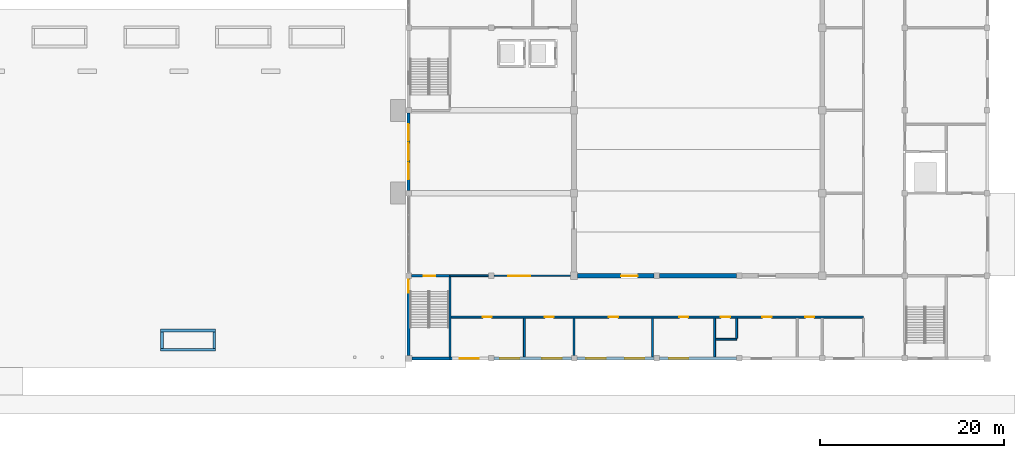
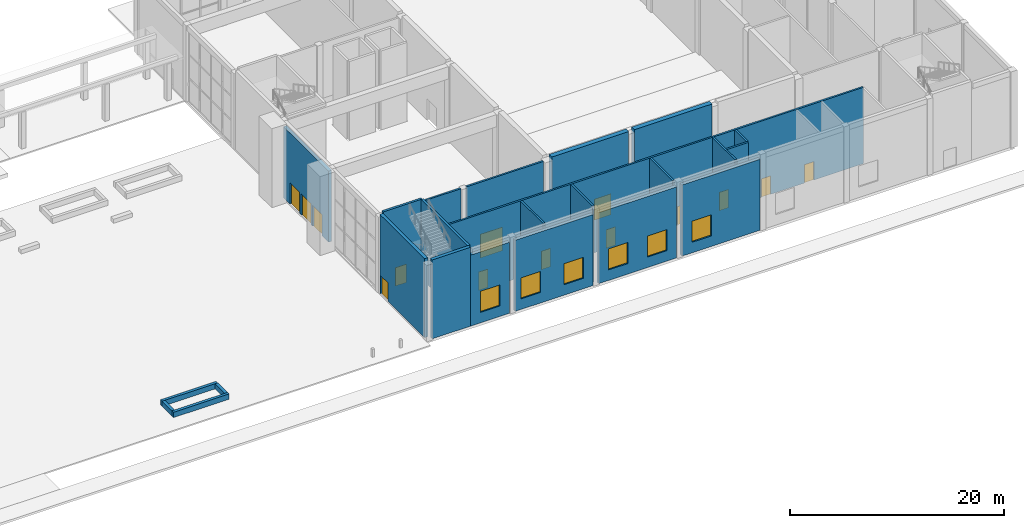
# One storey, part 29 of 44: 24 walls, 14 doors, 6 windows, 20 openings.
"""IFC4 building model written with IfcOpenShell, lengths in metres."""

import ifcopenshell
import ifcopenshell.guid

model = None  # the IFC model being written
_history = None  # IfcOwnerHistory: only IFC2X3 demands one
_inside = {}  # id of a spatial element -> (the spatial element, [elements in it])
_under = {}  # id of a project, library or spatial element -> (it, [spatial elements below it])
_declared = {}  # id of a project -> (the project, [libraries it declares])
_typed = {}  # id of a type object -> (the type object, [elements of that type])
_made_of = {}  # id of a material, layer set ... -> (it, [elements and type objects made of it])


def new_model(schema):
    """Start an empty IFC model of exactly this schema.

    Asked for "IFC4X3", IfcOpenShell would pick the latest addendum, in which some entities
    have other attributes; the version numbers below select the first issue.
    IFC2X3 requires an IfcOwnerHistory on every rooted entity: one is made here for all.
    """
    global model, _history
    if schema == "IFC4X3":
        model = ifcopenshell.file(schema_version=(4, 3, 0, 0))
    else:
        model = ifcopenshell.file(schema=schema)
    _inside.clear()
    _under.clear()
    _declared.clear()
    _typed.clear()
    _made_of.clear()
    _history = None
    if model.schema == "IFC2X3":
        org = make("IfcOrganization", Name="unknown")
        user = make(
            "IfcPersonAndOrganization",
            ThePerson=make("IfcPerson", FamilyName="unknown"),
            TheOrganization=org,
        )
        app = make(
            "IfcApplication",
            ApplicationDeveloper=org,
            Version="unknown",
            ApplicationFullName="unknown",
            ApplicationIdentifier="unknown",
        )
        _history = make(
            "IfcOwnerHistory",
            OwningUser=user,
            OwningApplication=app,
            ChangeAction="ADDED",
            CreationDate=0,
        )
    return model


def make(cls, **values):
    """One entity of the class cls with the attributes given. An attribute that is None is left unset."""
    return model.create_entity(
        cls, **{name: value for name, value in values.items() if value is not None}
    )


def rooted(cls, **values):
    """An entity with a GlobalId (a new one), such as an element, a storey or a relation."""
    return make(cls, GlobalId=ifcopenshell.guid.new(), OwnerHistory=_history, **values)


def si_unit(unit_type, name, prefix=None):
    """IfcSIUnit, for example si_unit("LENGTHUNIT", "METRE", prefix="MILLI")."""
    return make("IfcSIUnit", UnitType=unit_type, Prefix=prefix, Name=name)


def assignment(units):
    """IfcUnitAssignment: the units of a project."""
    return None if units is None else make("IfcUnitAssignment", Units=units)


def point(xyz):
    """IfcCartesianPoint."""
    return None if xyz is None else make("IfcCartesianPoint", Coordinates=xyz)


def direction(xyz):
    """IfcDirection."""
    return None if xyz is None else make("IfcDirection", DirectionRatios=xyz)


def frame(location, z_axis=None, x_axis=None):
    """IfcAxis2Placement3D, a coordinate frame: its origin and axes. An axis left out is left unset."""
    return make(
        "IfcAxis2Placement3D",
        Location=point(location),
        Axis=direction(z_axis),
        RefDirection=direction(x_axis),
    )


def frame_2d(location, x_axis=None):
    """IfcAxis2Placement2D, a coordinate frame in the plane: its origin and x axis."""
    return make(
        "IfcAxis2Placement2D", Location=point(location), RefDirection=direction(x_axis)
    )


def origin():
    """The frame at (0, 0, 0) with its axes left unset."""
    return frame((0.0, 0.0, 0.0))


def place(relative_to, where):
    """IfcLocalPlacement: puts the frame where relative to a parent placement (None: the world)."""
    return make(
        "IfcLocalPlacement", PlacementRelTo=relative_to, RelativePlacement=where
    )


def context(
    kind, dimensions, precision=None, world=None, true_north=None, identifier=None
):
    """IfcGeometricRepresentationContext, for example the 3D "Model" context."""
    return make(
        "IfcGeometricRepresentationContext",
        ContextIdentifier=identifier,
        ContextType=kind,
        CoordinateSpaceDimension=dimensions,
        Precision=precision,
        WorldCoordinateSystem=world,
        TrueNorth=true_north,
    )


def subcontext(parent, identifier, kind, view, scale=None):
    """IfcGeometricRepresentationSubContext, for example "Body" below "Model"."""
    return make(
        "IfcGeometricRepresentationSubContext",
        ContextIdentifier=identifier,
        ContextType=kind,
        ParentContext=parent,
        TargetScale=scale,
        TargetView=view,
    )


def project(units=None, contexts=None):
    """IfcProject with its units and contexts."""
    return rooted(
        "IfcProject",
        Name="project",
        RepresentationContexts=contexts,
        UnitsInContext=assignment(units),
    )


def spatial(cls, under=None, at=None, **own):
    """A site, building, storey or space (cls), placed at a placement, below another one or the project."""
    s = rooted(cls, ObjectPlacement=at, **own)
    if under is not None:
        _under.setdefault(under.id(), (under, []))[1].append(s)
    return s


def profile(cls, at=None, kind="AREA", **sizes):
    """A parametric profile (cls). Its sizes go by their IFC names, for example OverallWidth=200.0."""
    return make(cls, ProfileType=kind, Position=at, **sizes)


def rectangle(**sizes):
    """IfcRectangleProfileDef."""
    return profile("IfcRectangleProfileDef", **sizes)


def extrude(swept, where, along, depth):
    """IfcExtrudedAreaSolid: the profile swept, set in the frame where, extruded along a direction by depth."""
    return make(
        "IfcExtrudedAreaSolid",
        SweptArea=swept,
        Position=where,
        ExtrudedDirection=direction(along),
        Depth=depth,
    )


def shape(context_of_items, identifier, shape_type, items):
    """IfcShapeRepresentation: the items that make up one representation, for example the "Body"."""
    return make(
        "IfcShapeRepresentation",
        ContextOfItems=context_of_items,
        RepresentationIdentifier=identifier,
        RepresentationType=shape_type,
        Items=items,
    )


def material(Name=None, Category=None):
    """IfcMaterial."""
    return make("IfcMaterial", Name=Name, Category=Category)


def layer(
    of_material, thickness, ventilated=None, Name=None, Category=None, Priority=None
):
    """IfcMaterialLayer: one layer of a wall or slab, of a material (None: an air gap)."""
    return make(
        "IfcMaterialLayer",
        Material=of_material,
        LayerThickness=thickness,
        IsVentilated=ventilated,
        Name=Name,
        Category=Category,
        Priority=Priority,
    )


def layer_set(layers, Name=None):
    """IfcMaterialLayerSet."""
    return make("IfcMaterialLayerSet", MaterialLayers=layers, LayerSetName=Name)


def made_of(thing, what):
    """Note that an element or type object is made of a material, layer set ...; save() writes the relation."""
    if what is not None:
        _made_of.setdefault(what.id(), (what, []))[1].append(thing)
    return thing


def type_object(cls, material=None, **own):
    """A type object (cls), such as IfcWallType, which elements share."""
    return made_of(rooted(cls, **own), material)


def element(
    cls,
    number,
    at=None,
    inside=None,
    cuts=None,
    type_object=None,
    material=None,
    context=None,
    identifier="Body",
    shape_type=None,
    held_by="IfcProductDefinitionShape",
    body=None,
    shapes=None,
    **own,
):
    """One element of the class cls, such as IfcWall. Its Tag is "e" and its number.

    at: its placement. inside: the storey or other place that contains it. cuts: it is an
    opening in that element (IfcRelVoidsElement). A single representation is given by context,
    identifier, shape_type and body (its items); several are given by shapes. held_by: the class
    of the entity that holds the representations. save() writes the other relations.
    """
    e = rooted(cls, Tag="e%d" % number, ObjectPlacement=at, **own)
    if body is not None:
        shapes = [shape(context, identifier, shape_type, body)]
    if shapes is not None:
        e.Representation = make(held_by, Representations=shapes)
    if inside is not None:
        _inside.setdefault(inside.id(), (inside, []))[1].append(e)
    if cuts is not None:
        rooted(
            "IfcRelVoidsElement", RelatingBuildingElement=cuts, RelatedOpeningElement=e
        )
    if type_object is not None:
        _typed.setdefault(type_object.id(), (type_object, []))[1].append(e)
    return made_of(e, material)


def fill(opening, filler):
    """IfcRelFillsElement: the door or window that sits in an opening."""
    return rooted(
        "IfcRelFillsElement",
        RelatingOpeningElement=opening,
        RelatedBuildingElement=filler,
    )


def aggregate(whole, parts):
    """IfcRelAggregates: a whole, such as a stair, and the parts it consists of."""
    return rooted("IfcRelAggregates", RelatingObject=whole, RelatedObjects=parts)


def save(model, path):
    """Write the relations noted so far, then the file.

    IfcRelAggregates (storeys below a building ...), IfcRelContainedInSpatialStructure (elements
    in a storey), IfcRelDefinesByType, IfcRelAssociatesMaterial and IfcRelDeclares: one each for
    every whole, place, type object, material and project.
    """
    for whole, parts in _under.values():
        aggregate(whole, parts)
    for where, things in _inside.values():
        rooted(
            "IfcRelContainedInSpatialStructure",
            RelatedElements=things,
            RelatingStructure=where,
        )
    for kind, things in _typed.values():
        rooted("IfcRelDefinesByType", RelatedObjects=things, RelatingType=kind)
    for what, things in _made_of.values():
        rooted("IfcRelAssociatesMaterial", RelatedObjects=things, RelatingMaterial=what)
    for by, libraries in _declared.values():
        rooted("IfcRelDeclares", RelatingContext=by, RelatedDefinitions=libraries)
    model.write(path)


model = new_model("IFC4")

# Units and contexts
model_context = context("Model", 3, precision=1e-05, world=origin(), true_north=direction((0.0, 1.0)))
body_context = subcontext(model_context, "Body", "Model", "MODEL_VIEW")
ifc_project = project(units=[si_unit("LENGTHUNIT", "METRE"), si_unit("AREAUNIT", "SQUARE_METRE"), si_unit("VOLUMEUNIT", "CUBIC_METRE"), si_unit("PLANEANGLEUNIT", "RADIAN"), si_unit("MASSUNIT", "GRAM", prefix="KILO")], contexts=[model_context])

# Site, building, storey
site_placement = place(None, origin())
site = spatial("IfcSite", under=ifc_project, at=site_placement, CompositionType="ELEMENT")
building_placement = place(site_placement, origin())
building = spatial("IfcBuilding", under=site, at=building_placement, Name="Firuza Court", CompositionType="ELEMENT")
storey_placement = place(building_placement, origin())
storey = spatial("IfcBuildingStorey", under=building, at=storey_placement, Name="L00", CompositionType="ELEMENT", Elevation=0.0)

# Wall
ifc_material_1 = material(Name="Blockwork", Category="masonry")
ifc_layer_1 = layer(ifc_material_1, 0.199951171875)
ifc_layer_set_1 = layer_set([ifc_layer_1], Name="Blockwork")
wall_type_1 = type_object("IfcWallType", Name="HALL PARTITION 200", PredefinedType="STANDARD", material=ifc_layer_set_1)
wall_1_placement = place(storey_placement, frame((123.39990234375, -6.89990234375, 0.0), z_axis=(0.0, 0.0, 1.0), x_axis=(1.0, 0.0, 0.0)))
element("IfcWall", 1, at=wall_1_placement, inside=storey, type_object=wall_type_1, Name="Wall L00.10", PredefinedType="STANDARD", context=body_context, shape_type="SweptSolid", body=[
    extrude(rectangle(XDim=2.300048828125, YDim=0.199951171875, at=frame_2d((1.14990234375, 0.0))), origin(), (0.0, 0.0, 1.0), 8.699951171875),
])

# Wall, openings, doors
wall_2_placement = place(storey_placement, frame((94.625, -4.5, 0.0), z_axis=(0.0, 0.0, 1.0), x_axis=(1.0, 0.0, 0.0)))
wall_2 = element("IfcWall", 2, at=wall_2_placement, inside=storey, type_object=wall_type_1, Name="Wall L00.11", PredefinedType="STANDARD", context=body_context, shape_type="SweptSolid", body=[
    extrude(rectangle(XDim=44.875, YDim=0.199951171875, at=frame_2d((22.4375, 0.0))), origin(), (0.0, 0.0, 1.0), 8.699951171875),
])
opening_1_placement = place(wall_2_placement, frame((3.419921875, 0.0, 0.0)))
opening_1 = element("IfcOpeningElement", 3, at=opening_1_placement, cuts=wall_2, Name="Opening H038", PredefinedType="OPENING", context=body_context, shape_type="SweptSolid", body=[
    extrude(rectangle(XDim=1.0, YDim=2.10009765625, at=frame_2d((0.5, 1.050048828125))), frame((0.0, 0.11181640625, 0.0), z_axis=(0.0, -1.0, 0.0), x_axis=(1.0, 0.0, 0.0)), (0.0, 0.0, 1.0), 0.223876953125),
])
opening_2_placement = place(wall_2_placement, frame((10.169921875, 0.0, 0.0)))
opening_2 = element("IfcOpeningElement", 4, at=opening_2_placement, cuts=wall_2, Name="Opening H039", PredefinedType="OPENING", context=body_context, shape_type="SweptSolid", body=[
    extrude(rectangle(XDim=1.0, YDim=2.10009765625, at=frame_2d((0.5, 1.050048828125))), frame((0.0, 0.11181640625, 0.0), z_axis=(0.0, -1.0, 0.0), x_axis=(1.0, 0.0, 0.0)), (0.0, 0.0, 1.0), 0.223876953125),
])
opening_3_placement = place(wall_2_placement, frame((17.169921875, 0.0, 0.0)))
opening_3 = element("IfcOpeningElement", 5, at=opening_3_placement, cuts=wall_2, Name="Opening H043", PredefinedType="OPENING", context=body_context, shape_type="SweptSolid", body=[
    extrude(rectangle(XDim=1.0, YDim=2.10009765625, at=frame_2d((0.5, 1.050048828125))), frame((0.0, 0.11181640625, 0.0), z_axis=(0.0, -1.0, 0.0), x_axis=(1.0, 0.0, 0.0)), (0.0, 0.0, 1.0), 0.223876953125),
])
opening_4_placement = place(wall_2_placement, frame((24.820068359375, 0.0, 0.0)))
opening_4 = element("IfcOpeningElement", 6, at=opening_4_placement, cuts=wall_2, Name="Opening H044", PredefinedType="OPENING", context=body_context, shape_type="SweptSolid", body=[
    extrude(rectangle(XDim=1.0, YDim=2.10009765625, at=frame_2d((0.5, 1.050048828125))), frame((0.0, 0.11181640625, 0.0), z_axis=(0.0, -1.0, 0.0), x_axis=(1.0, 0.0, 0.0)), (0.0, 0.0, 1.0), 0.223876953125),
])
opening_5_placement = place(wall_2_placement, frame((29.3701171875, 0.0, 0.0)))
opening_5 = element("IfcOpeningElement", 7, at=opening_5_placement, cuts=wall_2, Name="Opening H045", PredefinedType="OPENING", context=body_context, shape_type="SweptSolid", body=[
    extrude(rectangle(XDim=1.0, YDim=2.10009765625, at=frame_2d((0.5, 1.050048828125))), frame((0.0, 0.11181640625, 0.0), z_axis=(0.0, -1.0, 0.0), x_axis=(1.0, 0.0, 0.0)), (0.0, 0.0, 1.0), 0.223876953125),
])
opening_6_placement = place(wall_2_placement, frame((33.8701171875, 0.0, 0.0)))
opening_6 = element("IfcOpeningElement", 8, at=opening_6_placement, cuts=wall_2, Name="Opening H046", PredefinedType="OPENING", context=body_context, shape_type="SweptSolid", body=[
    extrude(rectangle(XDim=1.0, YDim=2.10009765625, at=frame_2d((0.5, 1.050048828125))), frame((0.0, 0.11181640625, 0.0), z_axis=(0.0, -1.0, 0.0), x_axis=(1.0, 0.0, 0.0)), (0.0, 0.0, 1.0), 0.223876953125),
])
opening_7_placement = place(wall_2_placement, frame((38.52001953125, 0.0, 0.0)))
opening_7 = element("IfcOpeningElement", 9, at=opening_7_placement, cuts=wall_2, Name="Opening H047", PredefinedType="OPENING", context=body_context, shape_type="SweptSolid", body=[
    extrude(rectangle(XDim=1.0, YDim=2.10009765625, at=frame_2d((0.5, 1.050048828125))), frame((0.0, 0.11181640625, 0.0), z_axis=(0.0, -1.0, 0.0), x_axis=(1.0, 0.0, 0.0)), (0.0, 0.0, 1.0), 0.223876953125),
])
ifc_material_2 = material(Name="Timber", Category="wood")
door_type_1 = type_object("IfcDoorType", Name="HALL DOOR 1000X2100", OperationType="SINGLE_SWING_LEFT", PredefinedType="DOOR", material=ifc_material_2)
door_1_placement = place(opening_1_placement, frame((1.0, 0.0, 0.0), z_axis=(0.0, 0.0, 1.0), x_axis=(-1.0, 0.0, 0.0)))
door_1 = element("IfcDoor", 10, at=door_1_placement, inside=storey, type_object=door_type_1, Name="Door Box office", OperationType="SINGLE_SWING_RIGHT", OverallHeight=2.10009765625, OverallWidth=1.0, PredefinedType="DOOR", context=body_context, shape_type="SweptSolid", body=[
    extrude(rectangle(XDim=1.0, YDim=2.10009765625, at=frame_2d((0.5, 1.050048828125))), frame((0.0, 0.02490234375, 0.0), z_axis=(0.0, -1.0, 0.0), x_axis=(1.0, 0.0, 0.0)), (0.0, 0.0, 1.0), 0.050048828125),
])
fill(opening_1, door_1)
door_2_placement = place(opening_2_placement, frame((1.0, 0.0, 0.0), z_axis=(0.0, 0.0, 1.0), x_axis=(-1.0, 0.0, 0.0)))
door_2 = element("IfcDoor", 11, at=door_2_placement, inside=storey, type_object=door_type_1, Name="Door Cloakroom", OperationType="SINGLE_SWING_RIGHT", OverallHeight=2.10009765625, OverallWidth=1.0, PredefinedType="DOOR", context=body_context, shape_type="SweptSolid", body=[
    extrude(rectangle(XDim=1.0, YDim=2.10009765625, at=frame_2d((0.5, 1.050048828125))), frame((0.0, 0.02490234375, 0.0), z_axis=(0.0, -1.0, 0.0), x_axis=(1.0, 0.0, 0.0)), (0.0, 0.0, 1.0), 0.050048828125),
])
fill(opening_2, door_2)
door_3_placement = place(opening_3_placement, frame((1.0, 0.0, 0.0), z_axis=(0.0, 0.0, 1.0), x_axis=(-1.0, 0.0, 0.0)))
door_3 = element("IfcDoor", 12, at=door_3_placement, inside=storey, type_object=door_type_1, Name="Door Women's WC", OperationType="SINGLE_SWING_RIGHT", OverallHeight=2.10009765625, OverallWidth=1.0, PredefinedType="DOOR", context=body_context, shape_type="SweptSolid", body=[
    extrude(rectangle(XDim=1.0, YDim=2.10009765625, at=frame_2d((0.5, 1.050048828125))), frame((0.0, 0.02490234375, 0.0), z_axis=(0.0, -1.0, 0.0), x_axis=(1.0, 0.0, 0.0)), (0.0, 0.0, 1.0), 0.050048828125),
])
fill(opening_3, door_3)
door_4_placement = place(opening_4_placement, frame((1.0, 0.0, 0.0), z_axis=(0.0, 0.0, 1.0), x_axis=(-1.0, 0.0, 0.0)))
door_4 = element("IfcDoor", 13, at=door_4_placement, inside=storey, type_object=door_type_1, Name="Door Men's WC", OperationType="SINGLE_SWING_RIGHT", OverallHeight=2.10009765625, OverallWidth=1.0, PredefinedType="DOOR", context=body_context, shape_type="SweptSolid", body=[
    extrude(rectangle(XDim=1.0, YDim=2.10009765625, at=frame_2d((0.5, 1.050048828125))), frame((0.0, 0.02490234375, 0.0), z_axis=(0.0, -1.0, 0.0), x_axis=(1.0, 0.0, 0.0)), (0.0, 0.0, 1.0), 0.050048828125),
])
fill(opening_4, door_4)
door_5_placement = place(opening_5_placement, frame((1.0, 0.0, 0.0), z_axis=(0.0, 0.0, 1.0), x_axis=(-1.0, 0.0, 0.0)))
door_5 = element("IfcDoor", 14, at=door_5_placement, inside=storey, type_object=door_type_1, Name="Door Accessible WC", OperationType="SINGLE_SWING_RIGHT", OverallHeight=2.10009765625, OverallWidth=1.0, PredefinedType="DOOR", context=body_context, shape_type="SweptSolid", body=[
    extrude(rectangle(XDim=1.0, YDim=2.10009765625, at=frame_2d((0.5, 1.050048828125))), frame((0.0, 0.02490234375, 0.0), z_axis=(0.0, -1.0, 0.0), x_axis=(1.0, 0.0, 0.0)), (0.0, 0.0, 1.0), 0.050048828125),
])
fill(opening_5, door_5)
door_6_placement = place(opening_6_placement, frame((1.0, 0.0, 0.0), z_axis=(0.0, 0.0, 1.0), x_axis=(-1.0, 0.0, 0.0)))
door_6 = element("IfcDoor", 15, at=door_6_placement, inside=storey, type_object=door_type_1, Name="Door Parents' room", OperationType="SINGLE_SWING_RIGHT", OverallHeight=2.10009765625, OverallWidth=1.0, PredefinedType="DOOR", context=body_context, shape_type="SweptSolid", body=[
    extrude(rectangle(XDim=1.0, YDim=2.10009765625, at=frame_2d((0.5, 1.050048828125))), frame((0.0, 0.02490234375, 0.0), z_axis=(0.0, -1.0, 0.0), x_axis=(1.0, 0.0, 0.0)), (0.0, 0.0, 1.0), 0.050048828125),
])
fill(opening_6, door_6)
door_7_placement = place(opening_7_placement, frame((1.0, 0.0, 0.0), z_axis=(0.0, 0.0, 1.0), x_axis=(-1.0, 0.0, 0.0)))
door_7 = element("IfcDoor", 16, at=door_7_placement, inside=storey, type_object=door_type_1, Name="Door Cleaner's store", OperationType="SINGLE_SWING_RIGHT", OverallHeight=2.10009765625, OverallWidth=1.0, PredefinedType="DOOR", context=body_context, shape_type="SweptSolid", body=[
    extrude(rectangle(XDim=1.0, YDim=2.10009765625, at=frame_2d((0.5, 1.050048828125))), frame((0.0, 0.02490234375, 0.0), z_axis=(0.0, -1.0, 0.0), x_axis=(1.0, 0.0, 0.0)), (0.0, 0.0, 1.0), 0.050048828125),
])
fill(opening_7, door_7)

# Wall
wall_3_placement = place(storey_placement, frame((94.5, 0.0, 0.0), z_axis=(0.0, 0.0, 1.0), x_axis=(1.0, 0.0, 0.0)))
element("IfcWall", 17, at=wall_3_placement, inside=storey, type_object=wall_type_1, Name="Wall L00.13", PredefinedType="STANDARD", context=body_context, shape_type="SweptSolid", body=[
    extrude(rectangle(XDim=4.199951171875, YDim=0.199951171875, at=frame_2d((2.10009765625, 0.0))), origin(), (0.0, 0.0, 1.0), 8.699951171875),
])

# Wall, opening, door
wall_4_placement = place(storey_placement, frame((99.300048828125, 0.0, 0.0), z_axis=(0.0, 0.0, 1.0), x_axis=(1.0, 0.0, 0.0)))
wall_4 = element("IfcWall", 18, at=wall_4_placement, inside=storey, type_object=wall_type_1, Name="Wall L00.14", PredefinedType="STANDARD", context=body_context, shape_type="SweptSolid", body=[
    extrude(rectangle(XDim=8.300048828125, YDim=0.199951171875, at=frame_2d((4.14990234375, 0.0))), origin(), (0.0, 0.0, 1.0), 8.699951171875),
])
opening_8_placement = place(wall_4_placement, frame((1.52001953125, 0.0, 0.0)))
opening_8 = element("IfcOpeningElement", 19, at=opening_8_placement, cuts=wall_4, Name="Opening H015", PredefinedType="OPENING", context=body_context, shape_type="SweptSolid", body=[
    extrude(rectangle(XDim=2.39990234375, YDim=2.699951171875, at=frame_2d((1.199951171875, 1.35009765625))), frame((0.0, 0.11181640625, 0.0), z_axis=(0.0, -1.0, 0.0), x_axis=(1.0, 0.0, 0.0)), (0.0, 0.0, 1.0), 0.223876953125),
])
ifc_material_3 = material(Name="Timber", Category="wood")
door_type_2 = type_object("IfcDoorType", Name="HALL DOOR 2400X2700", OperationType="DOUBLE_DOOR_SINGLE_SWING", PredefinedType="DOOR", material=ifc_material_3)
door_8_placement = place(opening_8_placement, origin())
door_8 = element("IfcDoor", 20, at=door_8_placement, inside=storey, type_object=door_type_2, Name="Door Foyer to Rear promenade", OperationType="DOUBLE_DOOR_SINGLE_SWING", OverallHeight=2.699951171875, OverallWidth=2.39990234375, PredefinedType="DOOR", context=body_context, shape_type="SweptSolid", body=[
    extrude(rectangle(XDim=2.39990234375, YDim=2.699951171875, at=frame_2d((1.199951171875, 1.35009765625))), frame((0.0, 0.02490234375, 0.0), z_axis=(0.0, -1.0, 0.0), x_axis=(1.0, 0.0, 0.0)), (0.0, 0.0, 1.0), 0.050048828125),
])
fill(opening_8, door_8)

# Walls
wall_5_placement = place(storey_placement, frame((102.60009765625, -8.824951171875, 0.0), z_axis=(0.0, 0.0, 1.0), x_axis=(0.0, 1.0, 0.0)))
element("IfcWall", 21, at=wall_5_placement, inside=storey, type_object=wall_type_1, Name="Wall L00.53", PredefinedType="STANDARD", context=body_context, shape_type="SweptSolid", body=[
    extrude(rectangle(XDim=4.224853515625, YDim=0.199951171875, at=frame_2d((2.1123046875, 0.0))), origin(), (0.0, 0.0, 1.0), 8.699951171875),
])
wall_6_placement = place(storey_placement, frame((108.0, -8.699951171875, 0.0), z_axis=(0.0, 0.0, 1.0), x_axis=(0.0, 1.0, 0.0)))
element("IfcWall", 22, at=wall_6_placement, inside=storey, type_object=wall_type_1, Name="Wall L00.58", PredefinedType="STANDARD", context=body_context, shape_type="SweptSolid", body=[
    extrude(rectangle(XDim=4.099853515625, YDim=0.199951171875, at=frame_2d((2.0498046875, 0.0))), origin(), (0.0, 0.0, 1.0), 8.699951171875),
])
for number, where, z_axis, x_axis, name in (
    (23, (116.550048828125, -8.824951171875, 0.0), (0.0, 0.0, 1.0), (0.0, 1.0, 0.0), "Wall L00.64"),
    (24, (123.300048828125, -8.824951171875, 0.0), (0.0, 0.0, 1.0), (0.0, 1.0, 0.0), "Wall L00.65"),
):
    element("IfcWall", number, at=place(storey_placement, frame(where, z_axis=z_axis, x_axis=x_axis)), inside=storey, type_object=wall_type_1, Name=name, PredefinedType="STANDARD", context=body_context, shape_type="SweptSolid", body=[
        extrude(rectangle(XDim=4.224853515625, YDim=0.199951171875, at=frame_2d((2.1123046875, 0.0))), origin(), (0.0, 0.0, 1.0), 8.699951171875),
    ])
wall_7_placement = place(storey_placement, frame((125.699951171875, -6.800048828125, 0.0), z_axis=(0.0, 0.0, 1.0), x_axis=(0.0, 1.0, 0.0)))
element("IfcWall", 25, at=wall_7_placement, inside=storey, type_object=wall_type_1, Name="Wall L00.66", PredefinedType="STANDARD", context=body_context, shape_type="SweptSolid", body=[
    extrude(rectangle(XDim=2.199951171875, YDim=0.199951171875, at=frame_2d((1.10009765625, 0.0))), origin(), (0.0, 0.0, 1.0), 8.699951171875),
])
ifc_material_4 = material(Name="Concrete C30/37", Category="concrete")
ifc_layer_2 = layer(ifc_material_4, 0.300048828125)
ifc_layer_set_2 = layer_set([ifc_layer_2], Name="Concrete C30/37")
wall_type_2 = type_object("IfcWallType", Name="HALL PLANTER WALL 300", PredefinedType="STANDARD", material=ifc_layer_set_2)
for number, where, z_axis, x_axis, name in (
    (26, (63.0, -5.949951171875, 0.0), (0.0, 0.0, 1.0), (1.0, 0.0, 0.0), "PLANTER 8 north wall"),
    (27, (63.0, -8.050048828125, 0.0), (0.0, 0.0, 1.0), (1.0, 0.0, 0.0), "PLANTER 8 south wall"),
):
    element("IfcWall", number, at=place(storey_placement, frame(where, z_axis=z_axis, x_axis=x_axis)), inside=storey, type_object=wall_type_2, Name=name, ObjectType="PLANTER", PredefinedType="USERDEFINED", context=body_context, shape_type="SweptSolid", body=[
        extrude(rectangle(XDim=6.0, YDim=0.300048828125, at=frame_2d((3.0, 0.0))), origin(), (0.0, 0.0, 1.0), 0.60009765625),
    ])
for number, where, z_axis, x_axis, name in (
    (28, (68.85009765625, -7.89990234375, 0.0), (0.0, 0.0, 1.0), (0.0, 1.0, 0.0), "PLANTER 8 east wall"),
    (29, (63.14990234375, -7.89990234375, 0.0), (0.0, 0.0, 1.0), (0.0, 1.0, 0.0), "PLANTER 8 west wall"),
):
    element("IfcWall", number, at=place(storey_placement, frame(where, z_axis=z_axis, x_axis=x_axis)), inside=storey, type_object=wall_type_2, Name=name, ObjectType="PLANTER", PredefinedType="USERDEFINED", context=body_context, shape_type="SweptSolid", body=[
        extrude(rectangle(XDim=1.7998046875, YDim=0.300048828125, at=frame_2d((0.89990234375, 0.0))), origin(), (0.0, 0.0, 1.0), 0.60009765625),
    ])

# Wall, opening, door
ifc_material_5 = material(Name="Concrete C40/50", Category="concrete")
ifc_layer_3 = layer(ifc_material_5, 0.25)
ifc_layer_set_3 = layer_set([ifc_layer_3], Name="Concrete C40/50")
wall_type_3 = type_object("IfcWallType", Name="HALL RC WALL 250", PredefinedType="STANDARD", material=ifc_layer_set_3)
wall_8_placement = place(storey_placement, frame((90.300048828125, 0.0, 0.0), z_axis=(0.0, 0.0, 1.0), x_axis=(1.0, 0.0, 0.0)))
wall_8 = element("IfcWall", 30, at=wall_8_placement, inside=storey, type_object=wall_type_3, Name="Wall L00.12", PredefinedType="STANDARD", context=body_context, shape_type="SweptSolid", body=[
    extrude(rectangle(XDim=4.199951171875, YDim=0.25, at=frame_2d((2.10009765625, 0.0))), origin(), (0.0, 0.0, 1.0), 9.0),
])
opening_9_placement = place(wall_8_placement, frame((1.3701171875, 0.0, 0.0)))
opening_9 = element("IfcOpeningElement", 31, at=opening_9_placement, cuts=wall_8, Name="Opening H035", PredefinedType="OPENING", context=body_context, shape_type="SweptSolid", body=[
    extrude(rectangle(XDim=1.199951171875, YDim=2.10009765625, at=frame_2d((0.60009765625, 1.050048828125))), frame((0.0, 0.136962890625, 0.0), z_axis=(0.0, -1.0, 0.0), x_axis=(1.0, 0.0, 0.0)), (0.0, 0.0, 1.0), 0.27392578125),
])
ifc_material_6 = material(Name="Timber", Category="wood")
door_type_3 = type_object("IfcDoorType", Name="HALL DOOR 1200X2100", OperationType="SINGLE_SWING_LEFT", PredefinedType="DOOR", material=ifc_material_6)
door_9_placement = place(opening_9_placement, origin())
door_9 = element("IfcDoor", 32, at=door_9_placement, inside=storey, type_object=door_type_3, Name="Stair H1 door", OperationType="SINGLE_SWING_LEFT", OverallHeight=2.10009765625, OverallWidth=1.199951171875, PredefinedType="DOOR", context=body_context, shape_type="SweptSolid", body=[
    extrude(rectangle(XDim=1.199951171875, YDim=2.10009765625, at=frame_2d((0.60009765625, 1.050048828125))), frame((0.0, 0.02490234375, 0.0), z_axis=(0.0, -1.0, 0.0), x_axis=(1.0, 0.0, 0.0)), (0.0, 0.0, 1.0), 0.050048828125),
])
fill(opening_9, door_9)

# Wall
wall_9_placement = place(storey_placement, frame((94.5, -8.824951171875, 0.0), z_axis=(0.0, 0.0, 1.0), x_axis=(0.0, 1.0, 0.0)))
element("IfcWall", 33, at=wall_9_placement, inside=storey, type_object=wall_type_3, Name="Wall L00.50", PredefinedType="STANDARD", context=body_context, shape_type="SweptSolid", body=[
    extrude(rectangle(XDim=8.699951171875, YDim=0.25, at=frame_2d((4.35009765625, 0.0))), origin(), (0.0, 0.0, 1.0), 9.0),
])

# Wall, opening, door
ifc_layer_4 = layer(ifc_material_5, 0.5)
ifc_layer_set_4 = layer_set([ifc_layer_4], Name="Concrete C40/50")
wall_type_4 = type_object("IfcWallType", Name="HALL RC WALL 500", PredefinedType="STANDARD", material=ifc_layer_set_4)
wall_10_placement = place(storey_placement, frame((108.39990234375, 0.0, 0.0), z_axis=(0.0, 0.0, 1.0), x_axis=(1.0, 0.0, 0.0)))
wall_10 = element("IfcWall", 34, at=wall_10_placement, inside=storey, type_object=wall_type_4, Name="Wall L00.15", PredefinedType="STANDARD", context=body_context, shape_type="SweptSolid", body=[
    extrude(rectangle(XDim=8.300048828125, YDim=0.5, at=frame_2d((4.14990234375, 0.0))), origin(), (0.0, 0.0, 1.0), 9.0),
])
opening_10_placement = place(wall_10_placement, frame((4.719970703125, 0.0, 0.0)))
opening_10 = element("IfcOpeningElement", 35, at=opening_10_placement, cuts=wall_10, Name="Opening H018", PredefinedType="OPENING", context=body_context, shape_type="SweptSolid", body=[
    extrude(rectangle(XDim=1.800048828125, YDim=2.39990234375, at=frame_2d((0.89990234375, 1.199951171875))), frame((0.0, 0.261962890625, 0.0), z_axis=(0.0, -1.0, 0.0), x_axis=(1.0, 0.0, 0.0)), (0.0, 0.0, 1.0), 0.52392578125),
])
ifc_material_7 = material(Name="Timber", Category="wood")
door_type_4 = type_object("IfcDoorType", Name="HALL DOOR 1800X2400", OperationType="DOUBLE_DOOR_SINGLE_SWING", PredefinedType="DOOR", material=ifc_material_7)
door_10_placement = place(opening_10_placement, origin())
door_10 = element("IfcDoor", 36, at=door_10_placement, inside=storey, type_object=door_type_4, Name="Exit door stalls rear 1", OperationType="DOUBLE_DOOR_SINGLE_SWING", OverallHeight=2.39990234375, OverallWidth=1.800048828125, PredefinedType="DOOR", context=body_context, shape_type="SweptSolid", body=[
    extrude(rectangle(XDim=1.800048828125, YDim=2.39990234375, at=frame_2d((0.89990234375, 1.199951171875))), frame((0.0, 0.02490234375, 0.0), z_axis=(0.0, -1.0, 0.0), x_axis=(1.0, 0.0, 0.0)), (0.0, 0.0, 1.0), 0.050048828125),
])
fill(opening_10, door_10)

# Walls
wall_11_placement = place(storey_placement, frame((117.300048828125, 0.0, 0.0), z_axis=(0.0, 0.0, 1.0), x_axis=(1.0, 0.0, 0.0)))
element("IfcWall", 37, at=wall_11_placement, inside=storey, type_object=wall_type_4, Name="Wall L00.16", PredefinedType="STANDARD", context=body_context, shape_type="SweptSolid", body=[
    extrude(rectangle(XDim=8.39990234375, YDim=0.5, at=frame_2d((4.199951171875, 0.0))), origin(), (0.0, 0.0, 1.0), 9.0),
])
ifc_material_8 = material(Name="Concrete C30/37", Category="concrete")
ifc_layer_5 = layer(ifc_material_8, 0.300048828125)
ifc_material_9 = material(Name="Ceramic tile", Category="ceramic")
ifc_layer_6 = layer(ifc_material_9, 0.050048828125)
ifc_layer_set_5 = layer_set([ifc_layer_5, ifc_layer_6], Name="Concrete C30/37")
wall_type_5 = type_object("IfcWallType", Name="HALL TILE CLAD WALL 350", PredefinedType="STANDARD", material=ifc_layer_set_5)
wall_12_placement = place(storey_placement, frame((90.35009765625, -9.0, 0.0), z_axis=(0.0, 0.0, 1.0), x_axis=(1.0, 0.0, 0.0)))
element("IfcWall", 38, at=wall_12_placement, inside=storey, type_object=wall_type_5, Name="Wall L00.1", PredefinedType="STANDARD", context=body_context, shape_type="SweptSolid", body=[
    extrude(rectangle(XDim=4.14990234375, YDim=0.35009765625, at=frame_2d((2.074951171875, 0.0))), origin(), (0.0, 0.0, 1.0), 9.0),
])

# Wall, opening, window
wall_13_placement = place(storey_placement, frame((94.5, -9.0, 0.0), z_axis=(0.0, 0.0, 1.0), x_axis=(1.0, 0.0, 0.0)))
wall_13 = element("IfcWall", 39, at=wall_13_placement, inside=storey, type_object=wall_type_5, Name="Wall L00.2", PredefinedType="STANDARD", context=body_context, shape_type="SweptSolid", body=[
    extrude(rectangle(XDim=4.199951171875, YDim=0.35009765625, at=frame_2d((2.10009765625, 0.0))), origin(), (0.0, 0.0, 1.0), 8.10009765625),
])
opening_11_placement = place(wall_13_placement, frame((1.050048828125, 0.0, 1.199951171875)))
opening_11 = element("IfcOpeningElement", 40, at=opening_11_placement, cuts=wall_13, Name="Opening HW-3", PredefinedType="OPENING", context=body_context, shape_type="SweptSolid", body=[
    extrude(rectangle(XDim=2.10009765625, YDim=2.39990234375, at=frame_2d((1.050048828125, 1.199951171875))), frame((0.0, 0.18701171875, 0.0), z_axis=(0.0, -1.0, 0.0), x_axis=(1.0, 0.0, 0.0)), (0.0, 0.0, 1.0), 0.3740234375),
])
ifc_material_10 = material(Name="Aluminium", Category="aluminium")
window_type = type_object("IfcWindowType", Name="HALL WINDOW 2100X2400", PartitioningType="SINGLE_PANEL", PredefinedType="WINDOW", material=ifc_material_10)
window_1_placement = place(opening_11_placement, origin())
window_1 = element("IfcWindow", 41, at=window_1_placement, inside=storey, type_object=window_type, Name="Window L00.1", OverallHeight=2.39990234375, OverallWidth=2.10009765625, PartitioningType="SINGLE_PANEL", PredefinedType="WINDOW", context=body_context, shape_type="SweptSolid", body=[
    extrude(rectangle(XDim=2.10009765625, YDim=2.39990234375, at=frame_2d((1.050048828125, 1.199951171875))), frame((0.0, 0.030029296875, 0.0), z_axis=(0.0, -1.0, 0.0), x_axis=(1.0, 0.0, 0.0)), (0.0, 0.0, 1.0), 0.06005859375),
])
fill(opening_11, window_1)

# Wall, openings, windows
wall_14_placement = place(storey_placement, frame((99.300048828125, -9.0, 0.0), z_axis=(0.0, 0.0, 1.0), x_axis=(1.0, 0.0, 0.0)))
wall_14 = element("IfcWall", 42, at=wall_14_placement, inside=storey, type_object=wall_type_5, Name="Wall L00.3", PredefinedType="STANDARD", context=body_context, shape_type="SweptSolid", body=[
    extrude(rectangle(XDim=8.39990234375, YDim=0.35009765625, at=frame_2d((4.199951171875, 0.0))), origin(), (0.0, 0.0, 1.0), 8.10009765625),
])
opening_12_placement = place(wall_14_placement, frame((0.64990234375, 0.0, 1.199951171875)))
opening_12 = element("IfcOpeningElement", 43, at=opening_12_placement, cuts=wall_14, Name="Opening HW-3", PredefinedType="OPENING", context=body_context, shape_type="SweptSolid", body=[
    extrude(rectangle(XDim=2.10009765625, YDim=2.39990234375, at=frame_2d((1.050048828125, 1.199951171875))), frame((0.0, 0.18701171875, 0.0), z_axis=(0.0, -1.0, 0.0), x_axis=(1.0, 0.0, 0.0)), (0.0, 0.0, 1.0), 0.3740234375),
])
opening_13_placement = place(wall_14_placement, frame((5.25, 0.0, 1.199951171875)))
opening_13 = element("IfcOpeningElement", 44, at=opening_13_placement, cuts=wall_14, Name="Opening HW-3", PredefinedType="OPENING", context=body_context, shape_type="SweptSolid", body=[
    extrude(rectangle(XDim=2.10009765625, YDim=2.39990234375, at=frame_2d((1.050048828125, 1.199951171875))), frame((0.0, 0.18701171875, 0.0), z_axis=(0.0, -1.0, 0.0), x_axis=(1.0, 0.0, 0.0)), (0.0, 0.0, 1.0), 0.3740234375),
])
window_2_placement = place(opening_12_placement, origin())
window_2 = element("IfcWindow", 45, at=window_2_placement, inside=storey, type_object=window_type, Name="Window L00.2", OverallHeight=2.39990234375, OverallWidth=2.10009765625, PartitioningType="SINGLE_PANEL", PredefinedType="WINDOW", context=body_context, shape_type="SweptSolid", body=[
    extrude(rectangle(XDim=2.10009765625, YDim=2.39990234375, at=frame_2d((1.050048828125, 1.199951171875))), frame((0.0, 0.030029296875, 0.0), z_axis=(0.0, -1.0, 0.0), x_axis=(1.0, 0.0, 0.0)), (0.0, 0.0, 1.0), 0.06005859375),
])
fill(opening_12, window_2)
window_3_placement = place(opening_13_placement, origin())
window_3 = element("IfcWindow", 46, at=window_3_placement, inside=storey, type_object=window_type, Name="Window L00.3", OverallHeight=2.39990234375, OverallWidth=2.10009765625, PartitioningType="SINGLE_PANEL", PredefinedType="WINDOW", context=body_context, shape_type="SweptSolid", body=[
    extrude(rectangle(XDim=2.10009765625, YDim=2.39990234375, at=frame_2d((1.050048828125, 1.199951171875))), frame((0.0, 0.030029296875, 0.0), z_axis=(0.0, -1.0, 0.0), x_axis=(1.0, 0.0, 0.0)), (0.0, 0.0, 1.0), 0.06005859375),
])
fill(opening_13, window_3)

wall_15_placement = place(storey_placement, frame((108.300048828125, -9.0, 0.0), z_axis=(0.0, 0.0, 1.0), x_axis=(1.0, 0.0, 0.0)))
wall_15 = element("IfcWall", 47, at=wall_15_placement, inside=storey, type_object=wall_type_5, Name="Wall L00.4", PredefinedType="STANDARD", context=body_context, shape_type="SweptSolid", body=[
    extrude(rectangle(XDim=8.39990234375, YDim=0.35009765625, at=frame_2d((4.199951171875, 0.0))), origin(), (0.0, 0.0, 1.0), 8.10009765625),
])
opening_14_placement = place(wall_15_placement, frame((1.050048828125, 0.0, 1.199951171875)))
opening_14 = element("IfcOpeningElement", 48, at=opening_14_placement, cuts=wall_15, Name="Opening HW-3", PredefinedType="OPENING", context=body_context, shape_type="SweptSolid", body=[
    extrude(rectangle(XDim=2.10009765625, YDim=2.39990234375, at=frame_2d((1.050048828125, 1.199951171875))), frame((0.0, 0.18701171875, 0.0), z_axis=(0.0, -1.0, 0.0), x_axis=(1.0, 0.0, 0.0)), (0.0, 0.0, 1.0), 0.3740234375),
])
opening_15_placement = place(wall_15_placement, frame((5.25, 0.0, 1.199951171875)))
opening_15 = element("IfcOpeningElement", 49, at=opening_15_placement, cuts=wall_15, Name="Opening HW-3", PredefinedType="OPENING", context=body_context, shape_type="SweptSolid", body=[
    extrude(rectangle(XDim=2.10009765625, YDim=2.39990234375, at=frame_2d((1.050048828125, 1.199951171875))), frame((0.0, 0.18701171875, 0.0), z_axis=(0.0, -1.0, 0.0), x_axis=(1.0, 0.0, 0.0)), (0.0, 0.0, 1.0), 0.3740234375),
])
window_4_placement = place(opening_14_placement, origin())
window_4 = element("IfcWindow", 50, at=window_4_placement, inside=storey, type_object=window_type, Name="Window L00.4", OverallHeight=2.39990234375, OverallWidth=2.10009765625, PartitioningType="SINGLE_PANEL", PredefinedType="WINDOW", context=body_context, shape_type="SweptSolid", body=[
    extrude(rectangle(XDim=2.10009765625, YDim=2.39990234375, at=frame_2d((1.050048828125, 1.199951171875))), frame((0.0, 0.030029296875, 0.0), z_axis=(0.0, -1.0, 0.0), x_axis=(1.0, 0.0, 0.0)), (0.0, 0.0, 1.0), 0.06005859375),
])
fill(opening_14, window_4)
window_5_placement = place(opening_15_placement, origin())
window_5 = element("IfcWindow", 51, at=window_5_placement, inside=storey, type_object=window_type, Name="Window L00.5", OverallHeight=2.39990234375, OverallWidth=2.10009765625, PartitioningType="SINGLE_PANEL", PredefinedType="WINDOW", context=body_context, shape_type="SweptSolid", body=[
    extrude(rectangle(XDim=2.10009765625, YDim=2.39990234375, at=frame_2d((1.050048828125, 1.199951171875))), frame((0.0, 0.030029296875, 0.0), z_axis=(0.0, -1.0, 0.0), x_axis=(1.0, 0.0, 0.0)), (0.0, 0.0, 1.0), 0.06005859375),
])
fill(opening_15, window_5)

# Wall, opening, window
wall_16_placement = place(storey_placement, frame((117.300048828125, -9.0, 0.0), z_axis=(0.0, 0.0, 1.0), x_axis=(1.0, 0.0, 0.0)))
wall_16 = element("IfcWall", 52, at=wall_16_placement, inside=storey, type_object=wall_type_5, Name="Wall L00.5", PredefinedType="STANDARD", context=body_context, shape_type="SweptSolid", body=[
    extrude(rectangle(XDim=8.39990234375, YDim=0.35009765625, at=frame_2d((4.199951171875, 0.0))), origin(), (0.0, 0.0, 1.0), 8.10009765625),
])
opening_16_placement = place(wall_16_placement, frame((1.050048828125, 0.0, 1.199951171875)))
opening_16 = element("IfcOpeningElement", 53, at=opening_16_placement, cuts=wall_16, Name="Opening HW-3", PredefinedType="OPENING", context=body_context, shape_type="SweptSolid", body=[
    extrude(rectangle(XDim=2.10009765625, YDim=2.39990234375, at=frame_2d((1.050048828125, 1.199951171875))), frame((0.0, 0.18701171875, 0.0), z_axis=(0.0, -1.0, 0.0), x_axis=(1.0, 0.0, 0.0)), (0.0, 0.0, 1.0), 0.3740234375),
])
window_6_placement = place(opening_16_placement, origin())
window_6 = element("IfcWindow", 54, at=window_6_placement, inside=storey, type_object=window_type, Name="Window L00.6", OverallHeight=2.39990234375, OverallWidth=2.10009765625, PartitioningType="SINGLE_PANEL", PredefinedType="WINDOW", context=body_context, shape_type="SweptSolid", body=[
    extrude(rectangle(XDim=2.10009765625, YDim=2.39990234375, at=frame_2d((1.050048828125, 1.199951171875))), frame((0.0, 0.030029296875, 0.0), z_axis=(0.0, -1.0, 0.0), x_axis=(1.0, 0.0, 0.0)), (0.0, 0.0, 1.0), 0.06005859375),
])
fill(opening_16, window_6)

# Wall, opening, door
wall_17_placement = place(storey_placement, frame((90.0, -8.64990234375, 0.0), z_axis=(0.0, 0.0, 1.0), x_axis=(0.0, 1.0, 0.0)))
wall_17 = element("IfcWall", 55, at=wall_17_placement, inside=storey, type_object=wall_type_5, Name="Wall L00.46", PredefinedType="STANDARD", context=body_context, shape_type="SweptSolid", body=[
    extrude(rectangle(XDim=8.349853515625, YDim=0.35009765625, at=frame_2d((4.1748046875, 0.0))), origin(), (0.0, 0.0, 1.0), 9.0),
])
opening_17_placement = place(wall_17_placement, frame((6.820068359375, 0.0, 0.0)))
opening_17 = element("IfcOpeningElement", 56, at=opening_17_placement, cuts=wall_17, Name="Opening H031", PredefinedType="OPENING", context=body_context, shape_type="SweptSolid", body=[
    extrude(rectangle(XDim=1.39990234375, YDim=2.10009765625, at=frame_2d((0.699951171875, 1.050048828125))), frame((0.0, 0.18701171875, 0.0), z_axis=(0.0, -1.0, 0.0), x_axis=(1.0, 0.0, 0.0)), (0.0, 0.0, 1.0), 0.3740234375),
])
ifc_material_11 = material(Name="Timber", Category="wood")
door_type_5 = type_object("IfcDoorType", Name="HALL DOOR 1400X2100", OperationType="DOUBLE_DOOR_SINGLE_SWING", PredefinedType="DOOR", material=ifc_material_11)
door_11_placement = place(opening_17_placement, origin())
door_11 = element("IfcDoor", 57, at=door_11_placement, inside=storey, type_object=door_type_5, Name="Exit door stair H1", OperationType="DOUBLE_DOOR_SINGLE_SWING", OverallHeight=2.10009765625, OverallWidth=1.39990234375, PredefinedType="DOOR", context=body_context, shape_type="SweptSolid", body=[
    extrude(rectangle(XDim=1.39990234375, YDim=2.10009765625, at=frame_2d((0.699951171875, 1.050048828125))), frame((0.0, 0.02490234375, 0.0), z_axis=(0.0, -1.0, 0.0), x_axis=(1.0, 0.0, 0.0)), (0.0, 0.0, 1.0), 0.050048828125),
])
fill(opening_17, door_11)

# Wall, openings, doors
wall_18_placement = place(storey_placement, frame((90.0, 9.300048828125, 0.0), z_axis=(0.0, 0.0, 1.0), x_axis=(0.0, 1.0, 0.0)))
wall_18 = element("IfcWall", 58, at=wall_18_placement, inside=storey, type_object=wall_type_5, Name="Wall L00.47", PredefinedType="STANDARD", context=body_context, shape_type="SweptSolid", body=[
    extrude(rectangle(XDim=8.39990234375, YDim=0.35009765625, at=frame_2d((4.199951171875, 0.0))), origin(), (0.0, 0.0, 1.0), 8.10009765625),
])
opening_18_placement = place(wall_18_placement, frame((1.199951171875, 0.0, 0.0)))
opening_18 = element("IfcOpeningElement", 59, at=opening_18_placement, cuts=wall_18, Name="Opening H026", PredefinedType="OPENING", context=body_context, shape_type="SweptSolid", body=[
    extrude(rectangle(XDim=1.800048828125, YDim=2.39990234375, at=frame_2d((0.89990234375, 1.199951171875))), frame((0.0, 0.18701171875, 0.0), z_axis=(0.0, -1.0, 0.0), x_axis=(1.0, 0.0, 0.0)), (0.0, 0.0, 1.0), 0.3740234375),
])
opening_19_placement = place(wall_18_placement, frame((3.300048828125, 0.0, 0.0)))
opening_19 = element("IfcOpeningElement", 60, at=opening_19_placement, cuts=wall_18, Name="Opening H027", PredefinedType="OPENING", context=body_context, shape_type="SweptSolid", body=[
    extrude(rectangle(XDim=1.800048828125, YDim=2.39990234375, at=frame_2d((0.89990234375, 1.199951171875))), frame((0.0, 0.18701171875, 0.0), z_axis=(0.0, -1.0, 0.0), x_axis=(1.0, 0.0, 0.0)), (0.0, 0.0, 1.0), 0.3740234375),
])
opening_20_placement = place(wall_18_placement, frame((5.39990234375, 0.0, 0.0)))
opening_20 = element("IfcOpeningElement", 61, at=opening_20_placement, cuts=wall_18, Name="Opening H028", PredefinedType="OPENING", context=body_context, shape_type="SweptSolid", body=[
    extrude(rectangle(XDim=1.800048828125, YDim=2.39990234375, at=frame_2d((0.89990234375, 1.199951171875))), frame((0.0, 0.18701171875, 0.0), z_axis=(0.0, -1.0, 0.0), x_axis=(1.0, 0.0, 0.0)), (0.0, 0.0, 1.0), 0.3740234375),
])
door_12_placement = place(opening_18_placement, origin())
door_12 = element("IfcDoor", 62, at=door_12_placement, inside=storey, type_object=door_type_4, Name="Exit door main entrance 1", OperationType="DOUBLE_DOOR_SINGLE_SWING", OverallHeight=2.39990234375, OverallWidth=1.800048828125, PredefinedType="DOOR", context=body_context, shape_type="SweptSolid", body=[
    extrude(rectangle(XDim=1.800048828125, YDim=2.39990234375, at=frame_2d((0.89990234375, 1.199951171875))), frame((0.0, 0.02490234375, 0.0), z_axis=(0.0, -1.0, 0.0), x_axis=(1.0, 0.0, 0.0)), (0.0, 0.0, 1.0), 0.050048828125),
])
fill(opening_18, door_12)
door_13_placement = place(opening_19_placement, origin())
door_13 = element("IfcDoor", 63, at=door_13_placement, inside=storey, type_object=door_type_4, Name="Exit door main entrance 2", OperationType="DOUBLE_DOOR_SINGLE_SWING", OverallHeight=2.39990234375, OverallWidth=1.800048828125, PredefinedType="DOOR", context=body_context, shape_type="SweptSolid", body=[
    extrude(rectangle(XDim=1.800048828125, YDim=2.39990234375, at=frame_2d((0.89990234375, 1.199951171875))), frame((0.0, 0.02490234375, 0.0), z_axis=(0.0, -1.0, 0.0), x_axis=(1.0, 0.0, 0.0)), (0.0, 0.0, 1.0), 0.050048828125),
])
fill(opening_19, door_13)
door_14_placement = place(opening_20_placement, origin())
door_14 = element("IfcDoor", 64, at=door_14_placement, inside=storey, type_object=door_type_4, Name="Exit door main entrance 3", OperationType="DOUBLE_DOOR_SINGLE_SWING", OverallHeight=2.39990234375, OverallWidth=1.800048828125, PredefinedType="DOOR", context=body_context, shape_type="SweptSolid", body=[
    extrude(rectangle(XDim=1.800048828125, YDim=2.39990234375, at=frame_2d((0.89990234375, 1.199951171875))), frame((0.0, 0.02490234375, 0.0), z_axis=(0.0, -1.0, 0.0), x_axis=(1.0, 0.0, 0.0)), (0.0, 0.0, 1.0), 0.050048828125),
])
fill(opening_20, door_14)

save(model, "model.ifc")
